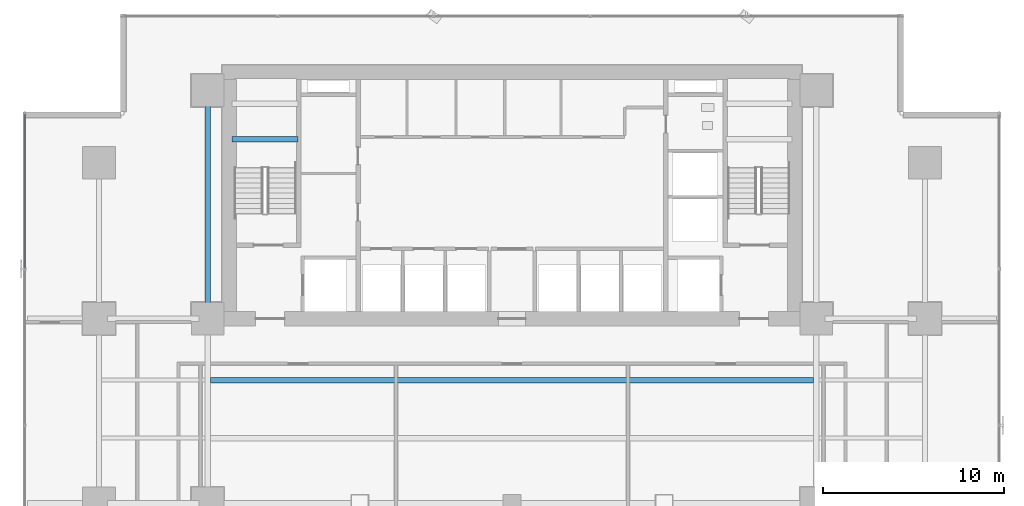
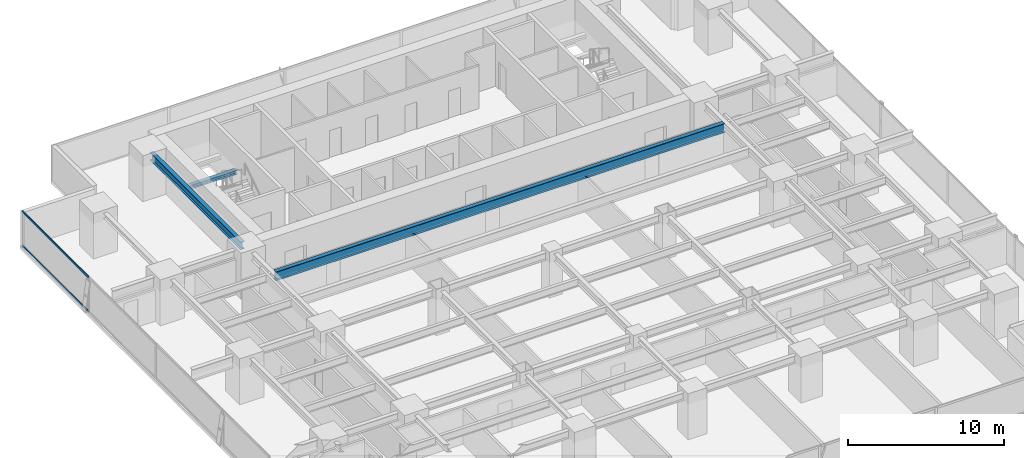
# One storey, part 17 of 33: 3 beams, 2 members, 1 element without a shape of its own.
"""IFC4 building model written with IfcOpenShell, lengths in metres."""

from ifc_helpers import new_model, si_unit, direction, frame, origin, origin_2d, place, context, subcontext, project, spatial, hollow_rectangle, i_section, extrude, source, transform, mapped, material, layer, layer_set, material_profile, profile_set, type_object, element, aggregate, save


model = new_model("IFC4")

# Units and contexts
model_context = context("Model", 3, precision=1e-05, world=origin(), true_north=direction((0.0, 1.0)))
body_context = subcontext(model_context, "Body", "Model", "MODEL_VIEW")
ifc_project = project(units=[si_unit("LENGTHUNIT", "METRE"), si_unit("AREAUNIT", "SQUARE_METRE"), si_unit("VOLUMEUNIT", "CUBIC_METRE"), si_unit("PLANEANGLEUNIT", "RADIAN"), si_unit("MASSUNIT", "GRAM", prefix="KILO")], contexts=[model_context])

# Site, building, storey
site_placement = place(None, origin())
site = spatial("IfcSite", under=ifc_project, at=site_placement, CompositionType="ELEMENT")
building_placement = place(site_placement, origin())
building = spatial("IfcBuilding", under=site, at=building_placement, Name="Sumidabori Civic Tower", CompositionType="ELEMENT")
storey_placement = place(building_placement, frame((0.0, 0.0, 59.60009765625)))
storey = spatial("IfcBuildingStorey", under=building, at=storey_placement, Name="L15", CompositionType="ELEMENT", Elevation=59.60009765625)

# Beams
ifc_material_1 = material(Name="Steel SN490", Category="steel")
ifc_material_profile_1 = material_profile(ifc_material_1, i_section(OverallWidth=0.300048828125, OverallDepth=0.300048828125, WebThickness=0.010986328125, FlangeThickness=0.01904296875, at=origin_2d()), Name="HE 300 B")
ifc_profile_set_1 = profile_set([ifc_material_profile_1], Name="Steel SN490")
beam_type_1 = type_object("IfcBeamType", Name="BM-LDG-300", PredefinedType="BEAM", material=ifc_profile_set_1)
shared_shape_1 = source(origin(), body_context, "Body", "SweptSolid", [
    extrude(i_section(OverallWidth=0.300048828125, OverallDepth=0.300048828125, WebThickness=0.010986328125, FlangeThickness=0.01904296875, at=origin_2d()), origin(), (0.0, 0.0, 1.0), 3.64990234375),
])
beam_1_placement = place(storey_placement, frame((-15.449951171875, 20.09765625, 1.449951171875), z_axis=(1.0, 0.0, 0.0), x_axis=(0.0, 1.0, 0.0)))
element("IfcBeam", 1, at=beam_1_placement, inside=storey, type_object=beam_type_1, Name="Stair ST-1 Landing Support Beam L15-1A", PredefinedType="BEAM", context=body_context, shape_type="MappedRepresentation", body=[
    mapped(shared_shape_1, transform((0.0, 0.0, 0.0), x_axis=(1.0, 0.0, 0.0), y_axis=(0.0, 1.0, 0.0), z_axis=(0.0, 0.0, 1.0), scale=1.0)),
])
ifc_material_profile_2 = material_profile(ifc_material_1, i_section(OverallWidth=0.300048828125, OverallDepth=0.60009765625, WebThickness=0.015380859375, FlangeThickness=0.030029296875, at=origin_2d()), Name="HE 600 B")
ifc_profile_set_2 = profile_set([ifc_material_profile_2], Name="Steel SN490")
beam_type_2 = type_object("IfcBeamType", Name="BM-GIRD-600", PredefinedType="BEAM", material=ifc_profile_set_2)
shared_shape_2 = source(origin(), body_context, "Body", "SweptSolid", [
    extrude(i_section(OverallWidth=0.300048828125, OverallDepth=0.60009765625, WebThickness=0.015380859375, FlangeThickness=0.030029296875, at=origin_2d()), origin(), (0.0, 0.0, 1.0), 11.64013671875),
])
beam_2_placement = place(storey_placement, frame((-16.800048828125, 10.679931640625, 3.059814453125), z_axis=(0.0, 1.0, 0.0), x_axis=(-1.0, 0.0, 0.0)))
element("IfcBeam", 2, at=beam_2_placement, inside=storey, type_object=beam_type_2, Name="Primary Girder L15 GY-28", PredefinedType="BEAM", context=body_context, shape_type="MappedRepresentation", body=[
    mapped(shared_shape_2, transform((0.0, 0.0, 0.0), x_axis=(1.0, 0.0, 0.0), y_axis=(0.0, 1.0, 0.0), z_axis=(0.0, 0.0, 1.0), scale=1.0)),
])
ifc_material_profile_3 = material_profile(ifc_material_1, i_section(OverallWidth=0.300048828125, OverallDepth=0.699951171875, WebThickness=0.01708984375, FlangeThickness=0.031982421875, at=origin_2d()), Name="HE 700 B")
ifc_profile_set_3 = profile_set([ifc_material_profile_3], Name="Steel SN490")
beam_type_3 = type_object("IfcBeamType", Name="BM-GIRD-700", PredefinedType="BEAM", material=ifc_profile_set_3)
shared_shape_3 = source(origin(), body_context, "Body", "SweptSolid", [
    extrude(i_section(OverallWidth=0.300048828125, OverallDepth=0.699951171875, WebThickness=0.01708984375, FlangeThickness=0.031982421875, at=origin_2d()), origin(), (0.0, 0.0, 1.0), 33.2998046875),
])
beam_3_placement = place(storey_placement, frame((-16.64990234375, 6.800048828125, 3.010009765625), z_axis=(1.0, 0.0, 0.0), x_axis=(0.0, 1.0, 0.0)))
element("IfcBeam", 3, at=beam_3_placement, inside=storey, type_object=beam_type_3, Name="North Bay Floor Beam L15 JSTN-60", PredefinedType="BEAM", context=body_context, shape_type="MappedRepresentation", body=[
    mapped(shared_shape_3, transform((0.0, 0.0, 0.0), x_axis=(1.0, 0.0, 0.0), y_axis=(0.0, 1.0, 0.0), z_axis=(0.0, 0.0, 1.0), scale=1.0)),
])

# Curtain wall, members
ifc_material_2 = material(Name="Anodised Bronze Aluminium AW-6063-T6", Category="aluminium")
ifc_layer = layer(ifc_material_2, 0.179931640625, Name="Anodised Bronze Aluminium AW-6063-T6")
ifc_layer_set = layer_set([ifc_layer], Name="Anodised Bronze Aluminium AW-6063-T6")
curtain_wall_type = type_object("IfcCurtainWallType", Name="CW-SYS-2", PredefinedType="NOTDEFINED", material=ifc_layer_set)
curtain_wall_placement = place(storey_placement, origin())
curtain_wall = element("IfcCurtainWall", 4, at=curtain_wall_placement, inside=storey, type_object=curtain_wall_type, Name="Curtain Wall CW:L15:R10", PredefinedType="NOTDEFINED")
ifc_material_profile_4 = material_profile(ifc_material_2, hollow_rectangle(XDim=0.06494140625, YDim=0.14990234375, WallThickness=0.0048828125, at=origin_2d()), Name="ALU TRANSOM 150x65")
ifc_profile_set_4 = profile_set([ifc_material_profile_4], Name="Anodised Bronze Aluminium AW-6063-T6")
member_type = type_object("IfcMemberType", Name="CW-TRN-150", PredefinedType="USERDEFINED", material=ifc_profile_set_4)
shared_shape_4 = source(origin(), body_context, "Body", "SweptSolid", [
    extrude(hollow_rectangle(XDim=0.06494140625, YDim=0.14990234375, WallThickness=0.0048828125, at=origin_2d()), origin(), (0.0, 0.0, 1.0), 8.52294921875),
])
member_1_placement = place(storey_placement, frame((-26.8798828125, 21.5, 0.032470703125), z_axis=(0.0, -1.0, 0.0), x_axis=(1.0, 0.0, 0.0)))
member_1 = element("IfcMember", 5, at=member_1_placement, type_object=member_type, Name="CW-2 transom 1.1", ObjectType="TRANSOM", PredefinedType="USERDEFINED", context=body_context, shape_type="MappedRepresentation", body=[
    mapped(shared_shape_4, transform((0.0, 0.0, 0.0), x_axis=(1.0, 0.0, 0.0), y_axis=(0.0, 1.0, 0.0), z_axis=(0.0, 0.0, 1.0), scale=1.0)),
])
member_2_placement = place(storey_placement, frame((-26.8798828125, 21.5, 2.70751953125), z_axis=(0.0, -1.0, 0.0), x_axis=(1.0, 0.0, 0.0)))
member_2 = element("IfcMember", 6, at=member_2_placement, type_object=member_type, Name="CW-2 transom 1.2", ObjectType="TRANSOM", PredefinedType="USERDEFINED", context=body_context, shape_type="MappedRepresentation", body=[
    mapped(shared_shape_4, transform((0.0, 0.0, 0.0), x_axis=(1.0, 0.0, 0.0), y_axis=(0.0, 1.0, 0.0), z_axis=(0.0, 0.0, 1.0), scale=1.0)),
])
aggregate(curtain_wall, [member_1, member_2])

save(model, "model.ifc")
